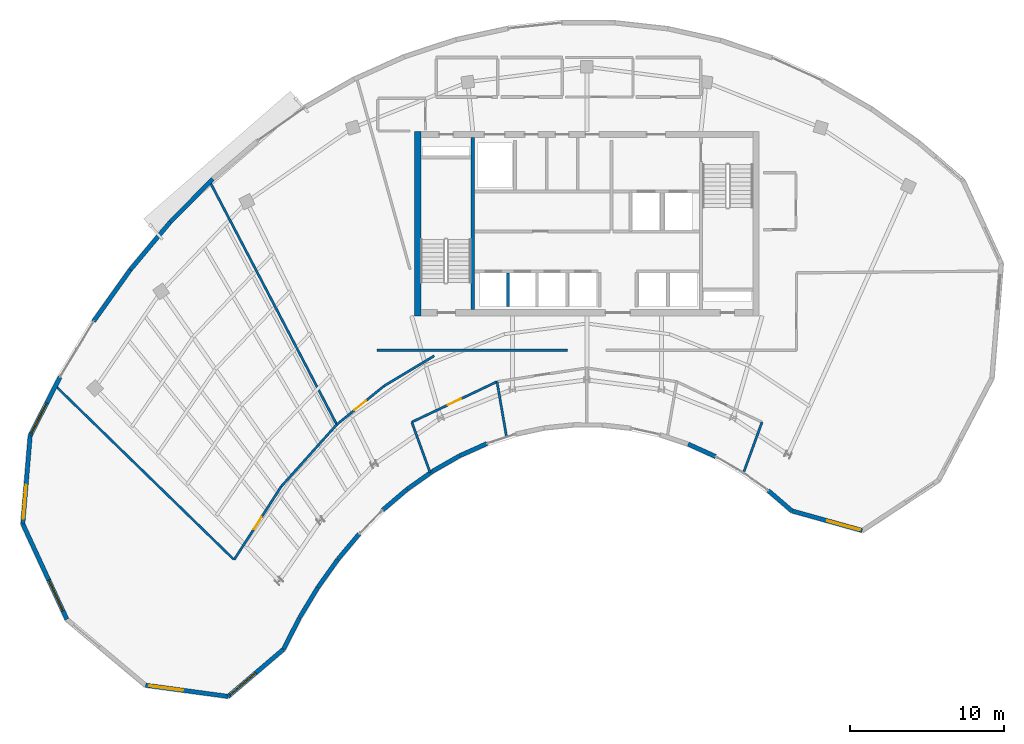
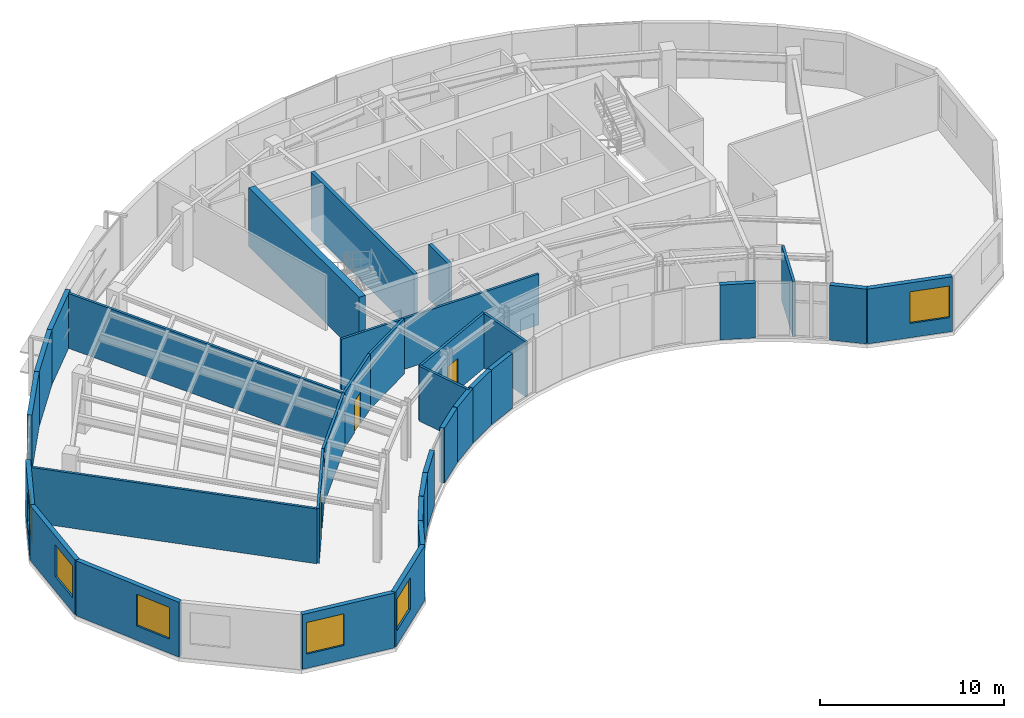
# One storey, part 8 of 13: 33 walls, 6 windows, 3 doors, 9 openings.
"""IFC4 building model written with IfcOpenShell, lengths in metres."""

from ifc_helpers import new_model, si_unit, direction, frame, frame_2d, origin, place, context, subcontext, project, spatial, rectangle, extrude, source, transform, mapped, material, layer, layer_set, type_object, type_shapes, element, fill, save


model = new_model("IFC4")

# Units and contexts
model_context = context("Model", 3, precision=1e-05, world=origin(), true_north=direction((0.0, 1.0)))
body_context = subcontext(model_context, "Body", "Model", "MODEL_VIEW")
ifc_project = project(units=[si_unit("LENGTHUNIT", "METRE"), si_unit("AREAUNIT", "SQUARE_METRE"), si_unit("VOLUMEUNIT", "CUBIC_METRE"), si_unit("PLANEANGLEUNIT", "RADIAN"), si_unit("MASSUNIT", "GRAM", prefix="KILO")], contexts=[model_context])

# Site, building, storey
site_placement = place(None, origin())
site = spatial("IfcSite", under=ifc_project, at=site_placement, CompositionType="ELEMENT")
building_placement = place(site_placement, origin())
building = spatial("IfcBuilding", under=site, at=building_placement, Name="Breltana Convention Tower", CompositionType="ELEMENT")
storey_placement = place(building_placement, frame((0.0, 0.0, 271.800048828125)))
storey = spatial("IfcBuildingStorey", under=building, at=storey_placement, Name="L66", CompositionType="ELEMENT", Elevation=271.800048828125)

# Walls
ifc_material_1 = material(Name="Concrete C50/60", Category="concrete")
ifc_layer_1 = layer(ifc_material_1, 0.39990234375, Name="Concrete C50/60")
ifc_layer_set_1 = layer_set([ifc_layer_1], Name="Concrete C50/60")
wall_type_1 = type_object("IfcWallType", Name="SW-CORE-400", PredefinedType="SHEAR", material=ifc_layer_set_1)
shared_shape_1 = source(origin(), body_context, "Body", "SweptSolid", [
    extrude(rectangle(XDim=12.0, YDim=0.39990234375, at=frame_2d((6.0, 0.0))), origin(), (0.0, 0.0, 1.0), 3.89990234375),
])
wall_1_placement = place(storey_placement, frame((37.0, 60.199951171875, 0.0), z_axis=(0.0, 0.0, 1.0), x_axis=(0.0, 1.0, 0.0)))
element("IfcWall", 1, at=wall_1_placement, inside=storey, type_object=wall_type_1, Name="L66 West Core Shear Wall", PredefinedType="SHEAR", context=body_context, shape_type="MappedRepresentation", body=[
    mapped(shared_shape_1, transform((0.0, 0.0, 0.0), scale=1.0)),
])
shared_shape_2 = source(origin(), body_context, "Body", "SweptSolid", [
    extrude(rectangle(XDim=11.199951171875, YDim=0.219970703125, at=frame_2d((5.60009765625, 0.0))), origin(), (0.0, 0.0, 1.0), 3.89990234375),
])
wall_2_placement = place(storey_placement, frame((40.580078125, 60.60009765625, 0.0), z_axis=(0.0, 0.0, 1.0), x_axis=(0.0, 1.0, 0.0)))
element("IfcWall", 2, at=wall_2_placement, inside=storey, type_object=wall_type_1, Name="L66 Core West Stair Spine Wall", PredefinedType="SHEAR", context=body_context, shape_type="MappedRepresentation", body=[
    mapped(shared_shape_2, transform((0.0, 0.0, 0.0), scale=1.0)),
])

# Wall, opening, window
ifc_material_2 = material(Name="Limestone Buff Insulated Wall", Category="masonry")
ifc_layer_2 = layer(ifc_material_2, 0.280029296875, Name="Limestone Buff Insulated Wall")
ifc_layer_set_2 = layer_set([ifc_layer_2], Name="Limestone Buff Insulated Wall")
wall_type_2 = type_object("IfcWallType", Name="WL-EXT-NOSE-280", PredefinedType="SOLIDWALL", material=ifc_layer_set_2)
shared_shape_3 = source(origin(), body_context, "Body", "SweptSolid", [
    extrude(rectangle(XDim=4.74853515625, YDim=0.280029296875, at=frame_2d((2.374267578125, 0.0))), origin(), (0.0, 0.0, 1.0), 3.639892578125),
])
wall_3_placement = place(storey_placement, frame((65.910400390625, 46.242431640625, 0.0), z_axis=(0.0, 0.0, 1.0), x_axis=(-0.963210849911, 0.268746829961, 0.0)))
wall_3 = element("IfcWall", 3, at=wall_3_placement, inside=storey, type_object=wall_type_2, Name="L66 curved limestone nose wall E5", PredefinedType="SOLIDWALL", context=body_context, shape_type="MappedRepresentation", body=[
    mapped(shared_shape_3, transform((0.0, 0.0, 0.0), scale=1.0)),
])
opening_1_placement = place(wall_3_placement, frame((0.159912109375, 0.0, 0.949951171875)))
opening_1 = element("IfcOpeningElement", 4, at=opening_1_placement, cuts=wall_3, Name="Opening W-03", PredefinedType="OPENING", context=body_context, shape_type="SweptSolid", body=[
    extrude(rectangle(XDim=2.199951171875, YDim=2.10009765625, at=frame_2d((1.10009765625, 1.050048828125))), frame((0.0, 0.14990234375, 0.0), z_axis=(0.0, -1.0, 0.0), x_axis=(1.0, 0.0, 0.0)), (0.0, 0.0, 1.0), 0.300048828125),
])
ifc_material_3 = material(Name="Glass Low-E Insulated Window", Category="glass")
window_type = type_object("IfcWindowType", Name="WN-NOSE-2200X2100", PartitioningType="TRIPLE_PANEL_VERTICAL", PredefinedType="WINDOW", material=ifc_material_3)
shared_shape_4 = source(origin(), body_context, "Body", "SweptSolid", [
    extrude(rectangle(XDim=2.199951171875, YDim=2.10009765625, at=frame_2d((1.10009765625, 1.050048828125))), frame((0.0, 0.030029296875, 0.0), z_axis=(0.0, -1.0, 0.0), x_axis=(1.0, 0.0, 0.0)), (0.0, 0.0, 1.0), 0.06005859375),
])
type_shapes(window_type, [shared_shape_4])
window_1_placement = place(opening_1_placement, origin())
window_1 = element("IfcWindow", 5, at=window_1_placement, inside=storey, type_object=window_type, Name="L66 nose window E5", OverallHeight=2.10009765625, OverallWidth=2.199951171875, PartitioningType="TRIPLE_PANEL_VERTICAL", PredefinedType="WINDOW", context=body_context, shape_type="MappedRepresentation", body=[
    mapped(shared_shape_4, transform((0.0, 0.0, 0.0), scale=1.0)),
])
fill(opening_1, window_1)

# Walls
shared_shape_5 = source(origin(), body_context, "Body", "SweptSolid", [
    extrude(rectangle(XDim=2.040283203125, YDim=0.280029296875, at=frame_2d((1.02001953125, 0.0))), origin(), (0.0, 0.0, 1.0), 3.639892578125),
])
wall_4_placement = place(storey_placement, frame((61.336669921875, 47.5185546875, 0.0), z_axis=(0.0, 0.0, 1.0), x_axis=(-0.758402847119, 0.651786101019, 0.0)))
element("IfcWall", 6, at=wall_4_placement, inside=storey, type_object=wall_type_2, Name="L66 curved limestone nose wall E6", PredefinedType="SOLIDWALL", context=body_context, shape_type="MappedRepresentation", body=[
    mapped(shared_shape_5, transform((0.0, 0.0, 0.0), scale=1.0)),
])
shared_shape_6 = source(origin(), body_context, "Body", "SweptSolid", [
    extrude(rectangle(XDim=1.94970703125, YDim=0.280029296875, at=frame_2d((0.974853515625, 0.0))), origin(), (0.0, 0.0, 1.0), 3.639892578125),
])
wall_5_placement = place(storey_placement, frame((56.37158203125, 51.05224609375, 0.0), z_axis=(0.0, 0.0, 1.0), x_axis=(-0.910507945155, 0.413491574048, 0.0)))
element("IfcWall", 7, at=wall_5_placement, inside=storey, type_object=wall_type_2, Name="L66 curved limestone nose wall E7", PredefinedType="SOLIDWALL", context=body_context, shape_type="MappedRepresentation", body=[
    mapped(shared_shape_6, transform((0.0, 0.0, 0.0), scale=1.0)),
])
shared_shape_7 = source(origin(), body_context, "Body", "SweptSolid", [
    extrude(rectangle(XDim=1.94775390625, YDim=0.280029296875, at=frame_2d((0.973876953125, 0.0))), origin(), (0.0, 0.0, 1.0), 3.639892578125),
])
wall_6_placement = place(storey_placement, frame((41.501220703125, 51.896728515625, 0.0), z_axis=(0.0, 0.0, 1.0), x_axis=(-0.912712483043, -0.408602402461, 0.0)))
element("IfcWall", 8, at=wall_6_placement, inside=storey, type_object=wall_type_2, Name="L66 curved limestone nose wall E13", PredefinedType="SOLIDWALL", context=body_context, shape_type="MappedRepresentation", body=[
    mapped(shared_shape_7, transform((0.0, 0.0, 0.0), scale=1.0)),
])
shared_shape_8 = source(origin(), body_context, "Body", "SweptSolid", [
    extrude(rectangle(XDim=1.98583984375, YDim=0.280029296875, at=frame_2d((0.992919921875, 0.0))), origin(), (0.0, 0.0, 1.0), 3.639892578125),
])
wall_7_placement = place(storey_placement, frame((39.70751953125, 51.0927734375, 0.0), z_axis=(0.0, 0.0, 1.0), x_axis=(-0.867940364671, -0.496668423976, 0.0)))
element("IfcWall", 9, at=wall_7_placement, inside=storey, type_object=wall_type_2, Name="L66 curved limestone nose wall E14", PredefinedType="SOLIDWALL", context=body_context, shape_type="MappedRepresentation", body=[
    mapped(shared_shape_8, transform((0.0, 0.0, 0.0), scale=1.0)),
])
shared_shape_9 = source(origin(), body_context, "Body", "SweptSolid", [
    extrude(rectangle(XDim=2.029541015625, YDim=0.280029296875, at=frame_2d((1.0146484375, 0.0))), origin(), (0.0, 0.0, 1.0), 3.639892578125),
])
wall_8_placement = place(storey_placement, frame((37.969482421875, 50.097412109375, 0.0), z_axis=(0.0, 0.0, 1.0), x_axis=(-0.816987864272, -0.576654861796, 0.0)))
element("IfcWall", 10, at=wall_8_placement, inside=storey, type_object=wall_type_2, Name="L66 curved limestone nose wall E15", PredefinedType="SOLIDWALL", context=body_context, shape_type="MappedRepresentation", body=[
    mapped(shared_shape_9, transform((0.0, 0.0, 0.0), scale=1.0)),
])
shared_shape_10 = source(origin(), body_context, "Body", "SweptSolid", [
    extrude(rectangle(XDim=2.07763671875, YDim=0.280029296875, at=frame_2d((1.038818359375, 0.0))), origin(), (0.0, 0.0, 1.0), 3.639892578125),
])
wall_9_placement = place(storey_placement, frame((36.29833984375, 48.9169921875, 0.0), z_axis=(0.0, 0.0, 1.0), x_axis=(-0.761475215802, -0.648194026291, 0.0)))
element("IfcWall", 11, at=wall_9_placement, inside=storey, type_object=wall_type_2, Name="L66 curved limestone nose wall E16", PredefinedType="SOLIDWALL", context=body_context, shape_type="MappedRepresentation", body=[
    mapped(shared_shape_10, transform((0.0, 0.0, 0.0), scale=1.0)),
])
shared_shape_11 = source(origin(), body_context, "Body", "SweptSolid", [
    extrude(rectangle(XDim=2.1796875, YDim=0.280029296875, at=frame_2d((1.08984375, 0.0))), origin(), (0.0, 0.0, 1.0), 3.639892578125),
])
wall_10_placement = place(storey_placement, frame((33.19970703125, 46.03466796875, 0.0), z_axis=(0.0, 0.0, 1.0), x_axis=(-0.641835571889, -0.766842290603, 0.0)))
element("IfcWall", 12, at=wall_10_placement, inside=storey, type_object=wall_type_2, Name="L66 curved limestone nose wall E17", PredefinedType="SOLIDWALL", context=body_context, shape_type="MappedRepresentation", body=[
    mapped(shared_shape_11, transform((0.0, 0.0, 0.0), scale=1.0)),
])
shared_shape_12 = source(origin(), body_context, "Body", "SweptSolid", [
    extrude(rectangle(XDim=2.231201171875, YDim=0.280029296875, at=frame_2d((1.11572265625, 0.0))), origin(), (0.0, 0.0, 1.0), 3.639892578125),
])
wall_11_placement = place(storey_placement, frame((31.792236328125, 44.35205078125, 0.0), z_axis=(0.0, 0.0, 1.0), x_axis=(-0.579622296598, -0.814885263879, 0.0)))
element("IfcWall", 13, at=wall_11_placement, inside=storey, type_object=wall_type_2, Name="L66 curved limestone nose wall E18", PredefinedType="SOLIDWALL", context=body_context, shape_type="MappedRepresentation", body=[
    mapped(shared_shape_12, transform((0.0, 0.0, 0.0), scale=1.0)),
])
shared_shape_13 = source(origin(), body_context, "Body", "SweptSolid", [
    extrude(rectangle(XDim=2.28076171875, YDim=0.280029296875, at=frame_2d((1.140380859375, 0.0))), origin(), (0.0, 0.0, 1.0), 3.639892578125),
])
wall_12_placement = place(storey_placement, frame((30.49169921875, 42.522705078125, 0.0), z_axis=(0.0, 0.0, 1.0), x_axis=(-0.516917942662, -0.856034952881, 0.0)))
element("IfcWall", 14, at=wall_12_placement, inside=storey, type_object=wall_type_2, Name="L66 curved limestone nose wall E19", PredefinedType="SOLIDWALL", context=body_context, shape_type="MappedRepresentation", body=[
    mapped(shared_shape_13, transform((0.0, 0.0, 0.0), scale=1.0)),
])
shared_shape_14 = source(origin(), body_context, "Body", "SweptSolid", [
    extrude(rectangle(XDim=2.291748046875, YDim=0.280029296875, at=frame_2d((1.14599609375, 0.0))), origin(), (0.0, 0.0, 1.0), 3.639892578125),
])
wall_13_placement = place(storey_placement, frame((29.306396484375, 40.558837890625, 0.0), z_axis=(0.0, 0.0, 1.0), x_axis=(-0.453933760778, -0.891035431858, 0.0)))
element("IfcWall", 15, at=wall_13_placement, inside=storey, type_object=wall_type_2, Name="L66 curved limestone nose wall W1", PredefinedType="SOLIDWALL", context=body_context, shape_type="MappedRepresentation", body=[
    mapped(shared_shape_14, transform((0.0, 0.0, 0.0), scale=1.0)),
])

# Wall, opening, window
shared_shape_15 = source(origin(), body_context, "Body", "SweptSolid", [
    extrude(rectangle(XDim=4.731689453125, YDim=0.280029296875, at=frame_2d((2.36572265625, 0.0))), origin(), (0.0, 0.0, 1.0), 3.639892578125),
])
wall_14_placement = place(storey_placement, frame((28.26611328125, 38.516845703125, 0.0), z_axis=(0.0, 0.0, 1.0), x_axis=(-0.761912583238, -0.647679871158, 0.0)))
wall_14 = element("IfcWall", 16, at=wall_14_placement, inside=storey, type_object=wall_type_2, Name="L66 curved limestone nose wall W2", PredefinedType="SOLIDWALL", context=body_context, shape_type="MappedRepresentation", body=[
    mapped(shared_shape_15, transform((0.0, 0.0, 0.0), scale=1.0)),
])
opening_2_placement = place(wall_14_placement, frame((2.371826171875, 0.0, 0.949951171875)))
opening_2 = element("IfcOpeningElement", 17, at=opening_2_placement, cuts=wall_14, Name="Opening W-03", PredefinedType="OPENING", context=body_context, shape_type="SweptSolid", body=[
    extrude(rectangle(XDim=2.199951171875, YDim=2.10009765625, at=frame_2d((1.10009765625, 1.050048828125))), frame((0.0, 0.14990234375, 0.0), z_axis=(0.0, -1.0, 0.0), x_axis=(1.0, 0.0, 0.0)), (0.0, 0.0, 1.0), 0.300048828125),
])
window_2_placement = place(opening_2_placement, origin())
window_2 = element("IfcWindow", 18, at=window_2_placement, inside=storey, type_object=window_type, Name="L66 nose window W2", OverallHeight=2.10009765625, OverallWidth=2.199951171875, PartitioningType="TRIPLE_PANEL_VERTICAL", PredefinedType="WINDOW", context=body_context, shape_type="MappedRepresentation", body=[
    mapped(shared_shape_4, transform((0.0, 0.0, 0.0), scale=1.0)),
])
fill(opening_2, window_2)

shared_shape_16 = source(origin(), body_context, "Body", "SweptSolid", [
    extrude(rectangle(XDim=5.40771484375, YDim=0.280029296875, at=frame_2d((2.703857421875, 0.0))), origin(), (0.0, 0.0, 1.0), 3.639892578125),
])
wall_15_placement = place(storey_placement, frame((24.660888671875, 35.4521484375, 0.0), z_axis=(0.0, 0.0, 1.0), x_axis=(-0.990932903229, 0.134357661853, 0.0)))
wall_15 = element("IfcWall", 19, at=wall_15_placement, inside=storey, type_object=wall_type_2, Name="L66 curved limestone nose wall W3", PredefinedType="SOLIDWALL", context=body_context, shape_type="MappedRepresentation", body=[
    mapped(shared_shape_16, transform((0.0, 0.0, 0.0), scale=1.0)),
])
opening_3_placement = place(wall_15_placement, frame((2.955810546875, 0.0, 0.949951171875)))
opening_3 = element("IfcOpeningElement", 20, at=opening_3_placement, cuts=wall_15, Name="Opening W-03", PredefinedType="OPENING", context=body_context, shape_type="SweptSolid", body=[
    extrude(rectangle(XDim=2.199951171875, YDim=2.10009765625, at=frame_2d((1.10009765625, 1.050048828125))), frame((0.0, 0.14990234375, 0.0), z_axis=(0.0, -1.0, 0.0), x_axis=(1.0, 0.0, 0.0)), (0.0, 0.0, 1.0), 0.300048828125),
])
window_3_placement = place(opening_3_placement, origin())
window_3 = element("IfcWindow", 21, at=window_3_placement, inside=storey, type_object=window_type, Name="L66 nose window W3", OverallHeight=2.10009765625, OverallWidth=2.199951171875, PartitioningType="TRIPLE_PANEL_VERTICAL", PredefinedType="WINDOW", context=body_context, shape_type="MappedRepresentation", body=[
    mapped(shared_shape_4, transform((0.0, 0.0, 0.0), scale=1.0)),
])
fill(opening_3, window_3)

shared_shape_17 = source(origin(), body_context, "Body", "SweptSolid", [
    extrude(rectangle(XDim=6.8369140625, YDim=0.280029296875, at=frame_2d((3.41845703125, 0.0))), origin(), (0.0, 0.0, 1.0), 3.639892578125),
])
wall_16_placement = place(storey_placement, frame((14.18408203125, 40.464111328125, 0.0), z_axis=(0.0, 0.0, 1.0), x_axis=(-0.419621957862, 0.907698965781, 0.0)))
wall_16 = element("IfcWall", 22, at=wall_16_placement, inside=storey, type_object=wall_type_2, Name="L66 curved limestone nose wall W5", PredefinedType="SOLIDWALL", context=body_context, shape_type="MappedRepresentation", body=[
    mapped(shared_shape_17, transform((0.0, 0.0, 0.0), scale=1.0)),
])
opening_4_placement = place(wall_16_placement, frame((0.609130859375, 0.0, 0.949951171875)))
opening_4 = element("IfcOpeningElement", 23, at=opening_4_placement, cuts=wall_16, Name="Opening W-03", PredefinedType="OPENING", context=body_context, shape_type="SweptSolid", body=[
    extrude(rectangle(XDim=2.199951171875, YDim=2.10009765625, at=frame_2d((1.10009765625, 1.050048828125))), frame((0.0, 0.14990234375, 0.0), z_axis=(0.0, -1.0, 0.0), x_axis=(1.0, 0.0, 0.0)), (0.0, 0.0, 1.0), 0.300048828125),
])
window_4_placement = place(opening_4_placement, origin())
window_4 = element("IfcWindow", 24, at=window_4_placement, inside=storey, type_object=window_type, Name="L66 nose window W5", OverallHeight=2.10009765625, OverallWidth=2.199951171875, PartitioningType="TRIPLE_PANEL_VERTICAL", PredefinedType="WINDOW", context=body_context, shape_type="MappedRepresentation", body=[
    mapped(shared_shape_4, transform((0.0, 0.0, 0.0), scale=1.0)),
])
fill(opening_4, window_4)

shared_shape_18 = source(origin(), body_context, "Body", "SweptSolid", [
    extrude(rectangle(XDim=5.7626953125, YDim=0.280029296875, at=frame_2d((2.88134765625, 0.0))), origin(), (0.0, 0.0, 1.0), 3.639892578125),
])
wall_17_placement = place(storey_placement, frame((11.315185546875, 46.669921875, 0.0), z_axis=(0.0, 0.0, 1.0), x_axis=(0.083290906041, 0.996525275631, 0.0)))
wall_17 = element("IfcWall", 25, at=wall_17_placement, inside=storey, type_object=wall_type_2, Name="L66 curved limestone nose wall W6", PredefinedType="SOLIDWALL", context=body_context, shape_type="MappedRepresentation", body=[
    mapped(shared_shape_18, transform((0.0, 0.0, 0.0), scale=1.0)),
])
opening_5_placement = place(wall_17_placement, frame((0.3408203125, 0.0, 0.949951171875)))
opening_5 = element("IfcOpeningElement", 26, at=opening_5_placement, cuts=wall_17, Name="Opening W-03", PredefinedType="OPENING", context=body_context, shape_type="SweptSolid", body=[
    extrude(rectangle(XDim=2.199951171875, YDim=2.10009765625, at=frame_2d((1.10009765625, 1.050048828125))), frame((0.0, 0.14990234375, 0.0), z_axis=(0.0, -1.0, 0.0), x_axis=(1.0, 0.0, 0.0)), (0.0, 0.0, 1.0), 0.300048828125),
])
window_5_placement = place(opening_5_placement, origin())
window_5 = element("IfcWindow", 27, at=window_5_placement, inside=storey, type_object=window_type, Name="L66 nose window W6", OverallHeight=2.10009765625, OverallWidth=2.199951171875, PartitioningType="TRIPLE_PANEL_VERTICAL", PredefinedType="WINDOW", context=body_context, shape_type="MappedRepresentation", body=[
    mapped(shared_shape_4, transform((0.0, 0.0, 0.0), scale=1.0)),
])
fill(opening_5, window_5)

shared_shape_19 = source(origin(), body_context, "Body", "SweptSolid", [
    extrude(rectangle(XDim=4.281494140625, YDim=0.280029296875, at=frame_2d((2.140625, 0.0))), origin(), (0.0, 0.0, 1.0), 3.639892578125),
])
wall_18_placement = place(storey_placement, frame((11.795166015625, 52.41259765625, 0.0), z_axis=(0.0, 0.0, 1.0), x_axis=(0.454020597637, 0.890991187903, 0.0)))
wall_18 = element("IfcWall", 28, at=wall_18_placement, inside=storey, type_object=wall_type_2, Name="L66 curved limestone nose wall W7", PredefinedType="SOLIDWALL", context=body_context, shape_type="MappedRepresentation", body=[
    mapped(shared_shape_19, transform((0.0, 0.0, 0.0), scale=1.0)),
])
opening_6_placement = place(wall_18_placement, frame((0.159912109375, 0.0, 0.949951171875)))
opening_6 = element("IfcOpeningElement", 29, at=opening_6_placement, cuts=wall_18, Name="Opening W-03", PredefinedType="OPENING", context=body_context, shape_type="SweptSolid", body=[
    extrude(rectangle(XDim=2.199951171875, YDim=2.10009765625, at=frame_2d((1.10009765625, 1.050048828125))), frame((0.0, 0.14990234375, 0.0), z_axis=(0.0, -1.0, 0.0), x_axis=(1.0, 0.0, 0.0)), (0.0, 0.0, 1.0), 0.300048828125),
])
window_6_placement = place(opening_6_placement, origin())
window_6 = element("IfcWindow", 30, at=window_6_placement, inside=storey, type_object=window_type, Name="L66 nose window W7", OverallHeight=2.10009765625, OverallWidth=2.199951171875, PartitioningType="TRIPLE_PANEL_VERTICAL", PredefinedType="WINDOW", context=body_context, shape_type="MappedRepresentation", body=[
    mapped(shared_shape_4, transform((0.0, 0.0, 0.0), scale=1.0)),
])
fill(opening_6, window_6)

# Walls
shared_shape_20 = source(origin(), body_context, "Body", "SweptSolid", [
    extrude(rectangle(XDim=4.12939453125, YDim=0.280029296875, at=frame_2d((2.064697265625, 0.0))), origin(), (0.0, 0.0, 1.0), 3.639892578125),
])
wall_19_placement = place(storey_placement, frame((15.92138671875, 59.842041015625, 0.0), z_axis=(0.0, 0.0, 1.0), x_axis=(0.57959272029, 0.814906300495, 0.0)))
element("IfcWall", 31, at=wall_19_placement, inside=storey, type_object=wall_type_2, Name="L66 curved limestone nose wall E20", PredefinedType="SOLIDWALL", context=body_context, shape_type="MappedRepresentation", body=[
    mapped(shared_shape_20, transform((0.0, 0.0, 0.0), scale=1.0)),
])
shared_shape_21 = source(origin(), body_context, "Body", "SweptSolid", [
    extrude(rectangle(XDim=4.033447265625, YDim=0.280029296875, at=frame_2d((2.0166015625, 0.0))), origin(), (0.0, 0.0, 1.0), 3.639892578125),
])
wall_20_placement = place(storey_placement, frame((18.314697265625, 63.20703125, 0.0), z_axis=(0.0, 0.0, 1.0), x_axis=(0.641778577123, 0.766889990772, 0.0)))
element("IfcWall", 32, at=wall_20_placement, inside=storey, type_object=wall_type_2, Name="L66 curved limestone nose wall E21", PredefinedType="SOLIDWALL", context=body_context, shape_type="MappedRepresentation", body=[
    mapped(shared_shape_21, transform((0.0, 0.0, 0.0), scale=1.0)),
])
shared_shape_22 = source(origin(), body_context, "Body", "SweptSolid", [
    extrude(rectangle(XDim=3.936767578125, YDim=0.280029296875, at=frame_2d((1.96826171875, 0.0))), origin(), (0.0, 0.0, 1.0), 3.639892578125),
])
wall_21_placement = place(storey_placement, frame((20.9033203125, 66.30029296875, 0.0), z_axis=(0.0, 0.0, 1.0), x_axis=(0.702690019653, 0.711496125274, 0.0)))
element("IfcWall", 33, at=wall_21_placement, inside=storey, type_object=wall_type_2, Name="L66 curved limestone nose wall E22", PredefinedType="SOLIDWALL", context=body_context, shape_type="MappedRepresentation", body=[
    mapped(shared_shape_22, transform((0.0, 0.0, 0.0), scale=1.0)),
])
ifc_material_4 = material(Name="Autoclaved Aerated Concrete Block", Category="concrete")
ifc_layer_3 = layer(ifc_material_4, 0.199951171875, Name="Autoclaved Aerated Concrete Block")
ifc_layer_set_3 = layer_set([ifc_layer_3], Name="Autoclaved Aerated Concrete Block")
wall_type_3 = type_object("IfcWallType", Name="WL-SHAFT-200", PredefinedType="SOLIDWALL", material=ifc_layer_set_3)
shared_shape_23 = source(origin(), body_context, "Body", "SweptSolid", [
    extrude(rectangle(XDim=2.199951171875, YDim=0.199951171875, at=frame_2d((1.10009765625, 0.0))), origin(), (0.0, 0.0, 1.0), 3.639892578125),
])
wall_22_placement = place(storey_placement, frame((42.8701171875, 60.800048828125, 0.0), z_axis=(0.0, 0.0, 1.0), x_axis=(0.0, 1.0, 0.0)))
element("IfcWall", 34, at=wall_22_placement, inside=storey, type_object=wall_type_3, Name="L66 interior partition W-L66-SH-S-DIV1", PredefinedType="SOLIDWALL", context=body_context, shape_type="MappedRepresentation", body=[
    mapped(shared_shape_23, transform((0.0, 0.0, 0.0), scale=1.0)),
])

# Wall, opening, door
ifc_material_5 = material(Name="Gypsum Acoustic Drywall Partition")
ifc_layer_4 = layer(ifc_material_5, 0.14990234375, Name="Gypsum Acoustic Drywall Partition")
ifc_layer_set_4 = layer_set([ifc_layer_4], Name="Gypsum Acoustic Drywall Partition")
wall_type_4 = type_object("IfcWallType", Name="WL-PART-150", PredefinedType="PARTITIONING", material=ifc_layer_set_4)
shared_shape_24 = source(origin(), body_context, "Body", "SweptSolid", [
    extrude(rectangle(XDim=6.13720703125, YDim=0.14990234375, at=frame_2d((3.068603515625, 0.0))), origin(), (0.0, 0.0, 1.0), 3.639892578125),
])
wall_23_placement = place(storey_placement, frame((36.611083984375, 53.289794921875, 0.0), z_axis=(0.0, 0.0, 1.0), x_axis=(0.903442784804, 0.428708682657, 0.0)))
wall_23 = element("IfcWall", 35, at=wall_23_placement, inside=storey, type_object=wall_type_4, Name="L66 interior partition W-L66-ES1-COR", PredefinedType="PARTITIONING", context=body_context, shape_type="MappedRepresentation", body=[
    mapped(shared_shape_24, transform((0.0, 0.0, 0.0), scale=1.0)),
])
opening_7_placement = place(wall_23_placement, frame((2.593505859375, 0.0, 0.0)))
opening_7 = element("IfcOpeningElement", 36, at=opening_7_placement, cuts=wall_23, Name="Opening D-17", PredefinedType="OPENING", context=body_context, shape_type="SweptSolid", body=[
    extrude(rectangle(XDim=0.949951171875, YDim=2.10009765625, at=frame_2d((0.47509765625, 1.050048828125))), frame((0.0, 0.0849609375, 0.0), z_axis=(0.0, -1.0, 0.0), x_axis=(1.0, 0.0, 0.0)), (0.0, 0.0, 1.0), 0.169921875),
])
ifc_material_6 = material(Name="Timber Oak Veneer Door", Category="wood")
door_type = type_object("IfcDoorType", Name="DR-INT-950", OperationType="NOTDEFINED", PredefinedType="DOOR", material=ifc_material_6)
shared_shape_25 = source(origin(), body_context, "Body", "SweptSolid", [
    extrude(rectangle(XDim=0.949951171875, YDim=2.10009765625, at=frame_2d((0.47509765625, 1.050048828125))), frame((0.0, 0.02490234375, 0.0), z_axis=(0.0, -1.0, 0.0), x_axis=(1.0, 0.0, 0.0)), (0.0, 0.0, 1.0), 0.050048828125),
])
type_shapes(door_type, [shared_shape_25])
door_1_placement = place(opening_7_placement, origin())
door_1 = element("IfcDoor", 37, at=door_1_placement, inside=storey, type_object=door_type, Name="L66 interior door D-L66-ES1", OperationType="SINGLE_SWING_RIGHT", OverallHeight=2.10009765625, OverallWidth=0.949951171875, PredefinedType="DOOR", context=body_context, shape_type="MappedRepresentation", body=[
    mapped(shared_shape_25, transform((0.0, 0.0, 0.0), scale=1.0)),
])
fill(opening_7, door_1)

# Walls
shared_shape_26 = source(origin(), body_context, "Body", "SweptSolid", [
    extrude(rectangle(XDim=3.504638671875, YDim=0.14990234375, at=frame_2d((1.75244140625, 0.0))), origin(), (0.0, 0.0, 1.0), 3.639892578125),
])
wall_24_placement = place(storey_placement, frame((37.809814453125, 49.99658203125, 0.0), z_axis=(0.0, 0.0, 1.0), x_axis=(-0.342045087719, 0.939683541394, 0.0)))
element("IfcWall", 38, at=wall_24_placement, inside=storey, type_object=wall_type_4, Name="L66 interior partition W-L66-ES1-RA", PredefinedType="PARTITIONING", context=body_context, shape_type="MappedRepresentation", body=[
    mapped(shared_shape_26, transform((0.0, 0.0, 0.0), scale=1.0)),
])
shared_shape_27 = source(origin(), body_context, "Body", "SweptSolid", [
    extrude(rectangle(XDim=3.6455078125, YDim=0.14990234375, at=frame_2d((1.82275390625, 0.0))), origin(), (0.0, 0.0, 1.0), 3.639892578125),
])
wall_25_placement = place(storey_placement, frame((42.77490234375, 52.328369140625, 0.0), z_axis=(0.0, 0.0, 1.0), x_axis=(-0.169837393507, 0.985472099943, 0.0)))
element("IfcWall", 39, at=wall_25_placement, inside=storey, type_object=wall_type_4, Name="L66 interior partition W-L66-ES1-RB", PredefinedType="PARTITIONING", context=body_context, shape_type="MappedRepresentation", body=[
    mapped(shared_shape_27, transform((0.0, 0.0, 0.0), scale=1.0)),
])
shared_shape_28 = source(origin(), body_context, "Body", "SweptSolid", [
    extrude(rectangle(XDim=3.5, YDim=0.14990234375, at=frame_2d((1.75, 0.0))), origin(), (0.0, 0.0, 1.0), 3.639892578125),
])
wall_26_placement = place(storey_placement, frame((58.19189453125, 50.0009765625, 0.0), z_axis=(0.0, 0.0, 1.0), x_axis=(0.342017493073, 0.939693585395, 0.0)))
element("IfcWall", 40, at=wall_26_placement, inside=storey, type_object=wall_type_4, Name="L66 interior partition W-L66-ES4-RB", PredefinedType="PARTITIONING", context=body_context, shape_type="MappedRepresentation", body=[
    mapped(shared_shape_28, transform((0.0, 0.0, 0.0), scale=1.0)),
])

# Wall, opening, door
shared_shape_29 = source(origin(), body_context, "Body", "SweptSolid", [
    extrude(rectangle(XDim=5.66845703125, YDim=0.14990234375, at=frame_2d((2.834228515625, 0.0))), origin(), (0.0, 0.0, 1.0), 3.639892578125),
])
wall_27_placement = place(storey_placement, frame((25.056396484375, 44.33740234375, 0.0), z_axis=(0.0, 0.0, 1.0), x_axis=(0.540868603668, 0.841107099938, 0.0)))
wall_27 = element("IfcWall", 41, at=wall_27_placement, inside=storey, type_object=wall_type_4, Name="L66 interior partition W-L66-EXWR1-COR1", PredefinedType="PARTITIONING", context=body_context, shape_type="MappedRepresentation", body=[
    mapped(shared_shape_29, transform((0.0, 0.0, 0.0), scale=1.0)),
])
opening_8_placement = place(wall_27_placement, frame((2.359375, 0.0, 0.0)))
opening_8 = element("IfcOpeningElement", 42, at=opening_8_placement, cuts=wall_27, Name="Opening D-17", PredefinedType="OPENING", context=body_context, shape_type="SweptSolid", body=[
    extrude(rectangle(XDim=0.949951171875, YDim=2.10009765625, at=frame_2d((0.47509765625, 1.050048828125))), frame((0.0, 0.0849609375, 0.0), z_axis=(0.0, -1.0, 0.0), x_axis=(1.0, 0.0, 0.0)), (0.0, 0.0, 1.0), 0.169921875),
])
door_2_placement = place(opening_8_placement, origin())
door_2 = element("IfcDoor", 43, at=door_2_placement, inside=storey, type_object=door_type, Name="L66 interior door D-L66-EXWR1", OperationType="SINGLE_SWING_RIGHT", OverallHeight=2.10009765625, OverallWidth=0.949951171875, PredefinedType="DOOR", context=body_context, shape_type="MappedRepresentation", body=[
    mapped(shared_shape_25, transform((0.0, 0.0, 0.0), scale=1.0)),
])
fill(opening_8, door_2)

# Walls
shared_shape_30 = source(origin(), body_context, "Body", "SweptSolid", [
    extrude(rectangle(XDim=5.406982421875, YDim=0.14990234375, at=frame_2d((2.70361328125, 0.0))), origin(), (0.0, 0.0, 1.0), 3.639892578125),
])
wall_28_placement = place(storey_placement, frame((28.122314453125, 49.105224609375, 0.0), z_axis=(0.0, 0.0, 1.0), x_axis=(0.667851383423, 0.744294652447, 0.0)))
element("IfcWall", 44, at=wall_28_placement, inside=storey, type_object=wall_type_4, Name="L66 interior partition W-L66-EXWR1-COR2", PredefinedType="PARTITIONING", context=body_context, shape_type="MappedRepresentation", body=[
    mapped(shared_shape_30, transform((0.0, 0.0, 0.0), scale=1.0)),
])
shared_shape_31 = source(origin(), body_context, "Body", "SweptSolid", [
    extrude(rectangle(XDim=16.15380859375, YDim=0.14990234375, at=frame_2d((8.076904296875, 0.0))), origin(), (0.0, 0.0, 1.0), 3.639892578125),
])
wall_29_placement = place(storey_placement, frame((25.02392578125, 44.368896484375, 0.0), z_axis=(0.0, 0.0, 1.0), x_axis=(-0.716519492877, 0.697567069412, 0.0)))
element("IfcWall", 45, at=wall_29_placement, inside=storey, type_object=wall_type_4, Name="L66 interior partition W-L66-EXWR1-RA", PredefinedType="PARTITIONING", context=body_context, shape_type="MappedRepresentation", body=[
    mapped(shared_shape_31, transform((0.0, 0.0, 0.0), scale=1.0)),
])
shared_shape_32 = source(origin(), body_context, "Body", "SweptSolid", [
    extrude(rectangle(XDim=17.749755859375, YDim=0.14990234375, at=frame_2d((8.875, 0.0))), origin(), (0.0, 0.0, 1.0), 3.639892578125),
])
wall_30_placement = place(storey_placement, frame((31.71044921875, 53.173583984375, 0.0), z_axis=(0.0, 0.0, 1.0), x_axis=(-0.463130463827, 0.886290118119, 0.0)))
element("IfcWall", 46, at=wall_30_placement, inside=storey, type_object=wall_type_4, Name="L66 interior partition W-L66-EXWR1-RB", PredefinedType="PARTITIONING", context=body_context, shape_type="MappedRepresentation", body=[
    mapped(shared_shape_32, transform((0.0, 0.0, 0.0), scale=1.0)),
])

# Wall, opening, door
shared_shape_33 = source(origin(), body_context, "Body", "SweptSolid", [
    extrude(rectangle(XDim=3.9541015625, YDim=0.14990234375, at=frame_2d((1.97705078125, 0.0))), origin(), (0.0, 0.0, 1.0), 3.639892578125),
])
wall_31_placement = place(storey_placement, frame((31.7333984375, 53.129638671875, 0.0), z_axis=(0.0, 0.0, 1.0), x_axis=(0.774345047596, 0.632763579281, 0.0)))
wall_31 = element("IfcWall", 47, at=wall_31_placement, inside=storey, type_object=wall_type_4, Name="L66 interior partition W-L66-EXWR2-COR1", PredefinedType="PARTITIONING", context=body_context, shape_type="MappedRepresentation", body=[
    mapped(shared_shape_33, transform((0.0, 0.0, 0.0), scale=1.0)),
])
opening_9_placement = place(wall_31_placement, frame((1.501953125, 0.0, 0.0)))
opening_9 = element("IfcOpeningElement", 48, at=opening_9_placement, cuts=wall_31, Name="Opening D-17", PredefinedType="OPENING", context=body_context, shape_type="SweptSolid", body=[
    extrude(rectangle(XDim=0.949951171875, YDim=2.10009765625, at=frame_2d((0.47509765625, 1.050048828125))), frame((0.0, 0.0849609375, 0.0), z_axis=(0.0, -1.0, 0.0), x_axis=(1.0, 0.0, 0.0)), (0.0, 0.0, 1.0), 0.169921875),
])
door_3_placement = place(opening_9_placement, origin())
door_3 = element("IfcDoor", 49, at=door_3_placement, inside=storey, type_object=door_type, Name="L66 interior door D-L66-EXWR2", OperationType="SINGLE_SWING_LEFT", OverallHeight=2.10009765625, OverallWidth=0.949951171875, PredefinedType="DOOR", context=body_context, shape_type="MappedRepresentation", body=[
    mapped(shared_shape_25, transform((0.0, 0.0, 0.0), scale=1.0)),
])
fill(opening_9, door_3)

# Walls
shared_shape_34 = source(origin(), body_context, "Body", "SweptSolid", [
    extrude(rectangle(XDim=3.817138671875, YDim=0.14990234375, at=frame_2d((1.90869140625, 0.0))), origin(), (0.0, 0.0, 1.0), 3.639892578125),
])
wall_32_placement = place(storey_placement, frame((34.795166015625, 55.631591796875, 0.0), z_axis=(0.0, 0.0, 1.0), x_axis=(0.857453418218, 0.514561595522, 0.0)))
element("IfcWall", 50, at=wall_32_placement, inside=storey, type_object=wall_type_4, Name="L66 interior partition W-L66-EXWR2-COR2", PredefinedType="PARTITIONING", context=body_context, shape_type="MappedRepresentation", body=[
    mapped(shared_shape_34, transform((0.0, 0.0, 0.0), scale=1.0)),
])
shared_shape_35 = source(origin(), body_context, "Body", "SweptSolid", [
    extrude(rectangle(XDim=12.389892578125, YDim=0.14990234375, at=frame_2d((6.19482421875, 0.0))), origin(), (0.0, 0.0, 1.0), 3.373046875),
])
wall_33_placement = place(storey_placement, frame((34.360107421875, 57.9599609375, 0.0), z_axis=(0.0, 0.0, 1.0), x_axis=(1.0, 0.0, 0.0)))
element("IfcWall", 51, at=wall_33_placement, inside=storey, type_object=wall_type_4, Name="L66 interior partition W-L66-Z45-CSW", PredefinedType="PARTITIONING", context=body_context, shape_type="MappedRepresentation", body=[
    mapped(shared_shape_35, transform((0.0, 0.0, 0.0), scale=1.0)),
])

save(model, "model.ifc")
